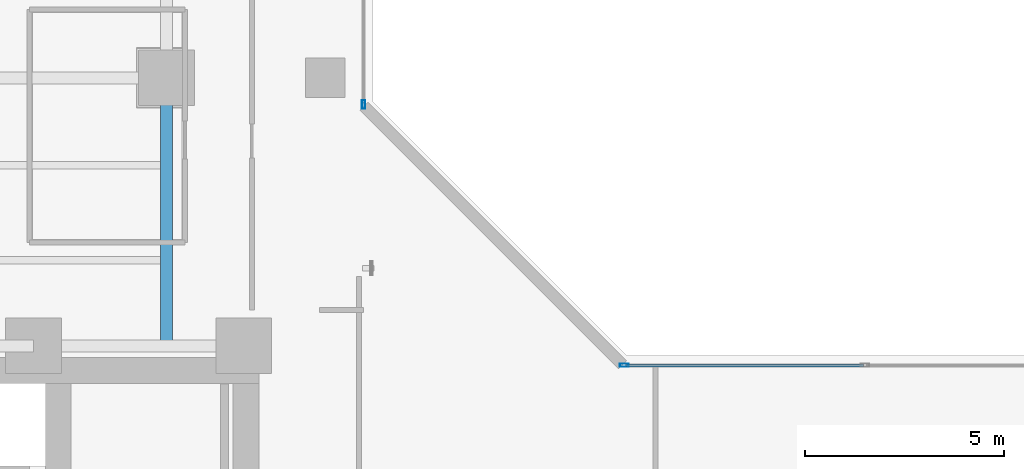
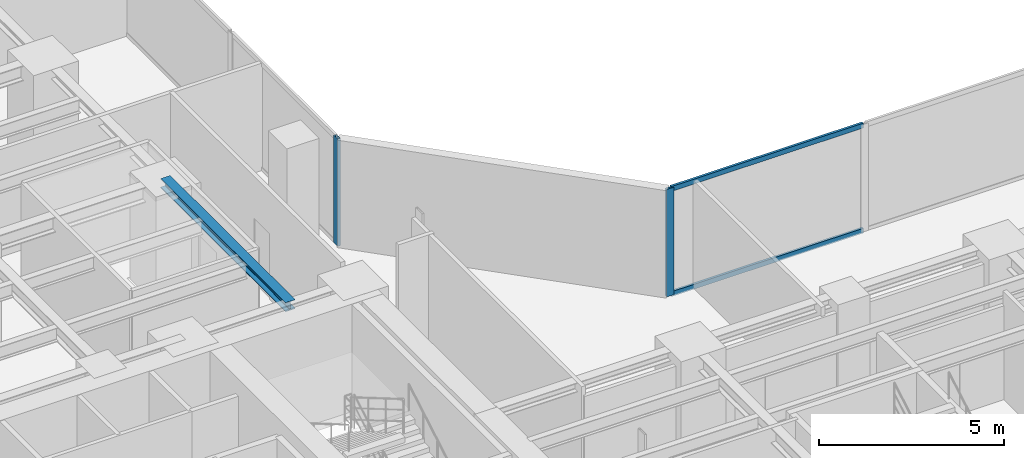
# One storey, part 9 of 28: 4 members, 1 beam, 2 elements without a shape of their own.
"""IFC4 building model written with IfcOpenShell, lengths in metres."""

import ifcopenshell
import ifcopenshell.guid

model = None  # the IFC model being written
_history = None  # IfcOwnerHistory: only IFC2X3 demands one
_inside = {}  # id of a spatial element -> (the spatial element, [elements in it])
_under = {}  # id of a project, library or spatial element -> (it, [spatial elements below it])
_declared = {}  # id of a project -> (the project, [libraries it declares])
_typed = {}  # id of a type object -> (the type object, [elements of that type])
_made_of = {}  # id of a material, layer set ... -> (it, [elements and type objects made of it])


def new_model(schema):
    """Start an empty IFC model of exactly this schema.

    Asked for "IFC4X3", IfcOpenShell would pick the latest addendum, in which some entities
    have other attributes; the version numbers below select the first issue.
    IFC2X3 requires an IfcOwnerHistory on every rooted entity: one is made here for all.
    """
    global model, _history
    if schema == "IFC4X3":
        model = ifcopenshell.file(schema_version=(4, 3, 0, 0))
    else:
        model = ifcopenshell.file(schema=schema)
    _inside.clear()
    _under.clear()
    _declared.clear()
    _typed.clear()
    _made_of.clear()
    _history = None
    if model.schema == "IFC2X3":
        org = make("IfcOrganization", Name="unknown")
        user = make(
            "IfcPersonAndOrganization",
            ThePerson=make("IfcPerson", FamilyName="unknown"),
            TheOrganization=org,
        )
        app = make(
            "IfcApplication",
            ApplicationDeveloper=org,
            Version="unknown",
            ApplicationFullName="unknown",
            ApplicationIdentifier="unknown",
        )
        _history = make(
            "IfcOwnerHistory",
            OwningUser=user,
            OwningApplication=app,
            ChangeAction="ADDED",
            CreationDate=0,
        )
    return model


def make(cls, **values):
    """One entity of the class cls with the attributes given. An attribute that is None is left unset."""
    return model.create_entity(
        cls, **{name: value for name, value in values.items() if value is not None}
    )


def rooted(cls, **values):
    """An entity with a GlobalId (a new one), such as an element, a storey or a relation."""
    return make(cls, GlobalId=ifcopenshell.guid.new(), OwnerHistory=_history, **values)


def si_unit(unit_type, name, prefix=None):
    """IfcSIUnit, for example si_unit("LENGTHUNIT", "METRE", prefix="MILLI")."""
    return make("IfcSIUnit", UnitType=unit_type, Prefix=prefix, Name=name)


def assignment(units):
    """IfcUnitAssignment: the units of a project."""
    return None if units is None else make("IfcUnitAssignment", Units=units)


def point(xyz):
    """IfcCartesianPoint."""
    return None if xyz is None else make("IfcCartesianPoint", Coordinates=xyz)


def direction(xyz):
    """IfcDirection."""
    return None if xyz is None else make("IfcDirection", DirectionRatios=xyz)


def frame(location, z_axis=None, x_axis=None):
    """IfcAxis2Placement3D, a coordinate frame: its origin and axes. An axis left out is left unset."""
    return make(
        "IfcAxis2Placement3D",
        Location=point(location),
        Axis=direction(z_axis),
        RefDirection=direction(x_axis),
    )


def frame_2d(location, x_axis=None):
    """IfcAxis2Placement2D, a coordinate frame in the plane: its origin and x axis."""
    return make(
        "IfcAxis2Placement2D", Location=point(location), RefDirection=direction(x_axis)
    )


def origin():
    """The frame at (0, 0, 0) with its axes left unset."""
    return frame((0.0, 0.0, 0.0))


def origin_with_axes():
    """The frame at (0, 0, 0) with the z axis (0, 0, 1) and the x axis (1, 0, 0) written out."""
    return frame((0.0, 0.0, 0.0), z_axis=(0.0, 0.0, 1.0), x_axis=(1.0, 0.0, 0.0))


def origin_2d():
    """The frame at (0, 0) in the plane with its x axis left unset."""
    return frame_2d((0.0, 0.0))


def place(relative_to, where):
    """IfcLocalPlacement: puts the frame where relative to a parent placement (None: the world)."""
    return make(
        "IfcLocalPlacement", PlacementRelTo=relative_to, RelativePlacement=where
    )


def context(
    kind, dimensions, precision=None, world=None, true_north=None, identifier=None
):
    """IfcGeometricRepresentationContext, for example the 3D "Model" context."""
    return make(
        "IfcGeometricRepresentationContext",
        ContextIdentifier=identifier,
        ContextType=kind,
        CoordinateSpaceDimension=dimensions,
        Precision=precision,
        WorldCoordinateSystem=world,
        TrueNorth=true_north,
    )


def subcontext(parent, identifier, kind, view, scale=None):
    """IfcGeometricRepresentationSubContext, for example "Body" below "Model"."""
    return make(
        "IfcGeometricRepresentationSubContext",
        ContextIdentifier=identifier,
        ContextType=kind,
        ParentContext=parent,
        TargetScale=scale,
        TargetView=view,
    )


def project(units=None, contexts=None):
    """IfcProject with its units and contexts."""
    return rooted(
        "IfcProject",
        Name="project",
        RepresentationContexts=contexts,
        UnitsInContext=assignment(units),
    )


def spatial(cls, under=None, at=None, **own):
    """A site, building, storey or space (cls), placed at a placement, below another one or the project."""
    s = rooted(cls, ObjectPlacement=at, **own)
    if under is not None:
        _under.setdefault(under.id(), (under, []))[1].append(s)
    return s


def profile(cls, at=None, kind="AREA", **sizes):
    """A parametric profile (cls). Its sizes go by their IFC names, for example OverallWidth=200.0."""
    return make(cls, ProfileType=kind, Position=at, **sizes)


def hollow_rectangle(**sizes):
    """IfcRectangleHollowProfileDef."""
    return profile("IfcRectangleHollowProfileDef", **sizes)


def i_section(**sizes):
    """IfcIShapeProfileDef."""
    return profile("IfcIShapeProfileDef", **sizes)


def extrude(swept, where, along, depth):
    """IfcExtrudedAreaSolid: the profile swept, set in the frame where, extruded along a direction by depth."""
    return make(
        "IfcExtrudedAreaSolid",
        SweptArea=swept,
        Position=where,
        ExtrudedDirection=direction(along),
        Depth=depth,
    )


def shape(context_of_items, identifier, shape_type, items):
    """IfcShapeRepresentation: the items that make up one representation, for example the "Body"."""
    return make(
        "IfcShapeRepresentation",
        ContextOfItems=context_of_items,
        RepresentationIdentifier=identifier,
        RepresentationType=shape_type,
        Items=items,
    )


def source(mapping_origin, context_of_items, identifier, shape_type, items):
    """IfcRepresentationMap: a shape defined once, which mapped items show again and again."""
    return make(
        "IfcRepresentationMap",
        MappingOrigin=mapping_origin,
        MappedRepresentation=shape(context_of_items, identifier, shape_type, items),
    )


def transform(
    local_origin,
    x_axis=None,
    y_axis=None,
    z_axis=None,
    scale=None,
    scale2=None,
    scale3=None,
    uniform=True,
):
    """IfcCartesianTransformationOperator3D, or its non-uniform kind. x_axis, y_axis, z_axis: its Axis1, 2, 3."""
    if uniform:
        return make(
            "IfcCartesianTransformationOperator3D",
            Axis1=direction(x_axis),
            Axis2=direction(y_axis),
            LocalOrigin=point(local_origin),
            Scale=scale,
            Axis3=direction(z_axis),
        )
    return make(
        "IfcCartesianTransformationOperator3DnonUniform",
        Axis1=direction(x_axis),
        Axis2=direction(y_axis),
        LocalOrigin=point(local_origin),
        Scale=scale,
        Axis3=direction(z_axis),
        Scale2=scale2,
        Scale3=scale3,
    )


def mapped(mapping_source, mapping_target):
    """IfcMappedItem: shows the shape of a source again, moved by a transform."""
    return make(
        "IfcMappedItem", MappingSource=mapping_source, MappingTarget=mapping_target
    )


def material(Name=None, Category=None):
    """IfcMaterial."""
    return make("IfcMaterial", Name=Name, Category=Category)


def layer(
    of_material, thickness, ventilated=None, Name=None, Category=None, Priority=None
):
    """IfcMaterialLayer: one layer of a wall or slab, of a material (None: an air gap)."""
    return make(
        "IfcMaterialLayer",
        Material=of_material,
        LayerThickness=thickness,
        IsVentilated=ventilated,
        Name=Name,
        Category=Category,
        Priority=Priority,
    )


def layer_set(layers, Name=None):
    """IfcMaterialLayerSet."""
    return make("IfcMaterialLayerSet", MaterialLayers=layers, LayerSetName=Name)


def material_profile(
    of_material, cross_section, Name=None, Category=None, Priority=None
):
    """IfcMaterialProfile: a cross section and its material."""
    return make(
        "IfcMaterialProfile",
        Name=Name,
        Material=of_material,
        Profile=cross_section,
        Priority=Priority,
        Category=Category,
    )


def profile_set(profiles, Name=None, composite=None):
    """IfcMaterialProfileSet."""
    return make(
        "IfcMaterialProfileSet",
        Name=Name,
        MaterialProfiles=profiles,
        CompositeProfile=composite,
    )


def made_of(thing, what):
    """Note that an element or type object is made of a material, layer set ...; save() writes the relation."""
    if what is not None:
        _made_of.setdefault(what.id(), (what, []))[1].append(thing)
    return thing


def type_object(cls, material=None, **own):
    """A type object (cls), such as IfcWallType, which elements share."""
    return made_of(rooted(cls, **own), material)


def element(
    cls,
    number,
    at=None,
    inside=None,
    cuts=None,
    type_object=None,
    material=None,
    context=None,
    identifier="Body",
    shape_type=None,
    held_by="IfcProductDefinitionShape",
    body=None,
    shapes=None,
    **own,
):
    """One element of the class cls, such as IfcWall. Its Tag is "e" and its number.

    at: its placement. inside: the storey or other place that contains it. cuts: it is an
    opening in that element (IfcRelVoidsElement). A single representation is given by context,
    identifier, shape_type and body (its items); several are given by shapes. held_by: the class
    of the entity that holds the representations. save() writes the other relations.
    """
    e = rooted(cls, Tag="e%d" % number, ObjectPlacement=at, **own)
    if body is not None:
        shapes = [shape(context, identifier, shape_type, body)]
    if shapes is not None:
        e.Representation = make(held_by, Representations=shapes)
    if inside is not None:
        _inside.setdefault(inside.id(), (inside, []))[1].append(e)
    if cuts is not None:
        rooted(
            "IfcRelVoidsElement", RelatingBuildingElement=cuts, RelatedOpeningElement=e
        )
    if type_object is not None:
        _typed.setdefault(type_object.id(), (type_object, []))[1].append(e)
    return made_of(e, material)


def aggregate(whole, parts):
    """IfcRelAggregates: a whole, such as a stair, and the parts it consists of."""
    return rooted("IfcRelAggregates", RelatingObject=whole, RelatedObjects=parts)


def save(model, path):
    """Write the relations noted so far, then the file.

    IfcRelAggregates (storeys below a building ...), IfcRelContainedInSpatialStructure (elements
    in a storey), IfcRelDefinesByType, IfcRelAssociatesMaterial and IfcRelDeclares: one each for
    every whole, place, type object, material and project.
    """
    for whole, parts in _under.values():
        aggregate(whole, parts)
    for where, things in _inside.values():
        rooted(
            "IfcRelContainedInSpatialStructure",
            RelatedElements=things,
            RelatingStructure=where,
        )
    for kind, things in _typed.values():
        rooted("IfcRelDefinesByType", RelatedObjects=things, RelatingType=kind)
    for what, things in _made_of.values():
        rooted("IfcRelAssociatesMaterial", RelatedObjects=things, RelatingMaterial=what)
    for by, libraries in _declared.values():
        rooted("IfcRelDeclares", RelatingContext=by, RelatedDefinitions=libraries)
    model.write(path)


model = new_model("IFC4")

# Units and contexts
model_context = context("Model", 3, precision=1e-05, world=origin(), true_north=direction((0.0, 1.0)))
body_context = subcontext(model_context, "Body", "Model", "MODEL_VIEW")
ifc_project = project(units=[si_unit("LENGTHUNIT", "METRE"), si_unit("AREAUNIT", "SQUARE_METRE"), si_unit("VOLUMEUNIT", "CUBIC_METRE"), si_unit("PLANEANGLEUNIT", "RADIAN"), si_unit("MASSUNIT", "GRAM", prefix="KILO")], contexts=[model_context])

# Site, building, storey
site_placement = place(None, origin())
site = spatial("IfcSite", under=ifc_project, at=site_placement, CompositionType="ELEMENT")
building_placement = place(site_placement, origin())
building = spatial("IfcBuilding", under=site, at=building_placement, Name="Kolvaren Waterfront Exchange", CompositionType="ELEMENT")
storey_placement = place(building_placement, frame((0.0, 0.0, 133.5)))
storey = spatial("IfcBuildingStorey", under=building, at=storey_placement, Name="L34", CompositionType="ELEMENT", Elevation=133.5)

# Beam
ifc_material_1 = material(Name="Steel S355", Category="steel")
ifc_material_profile_1 = material_profile(ifc_material_1, i_section(OverallWidth=0.300048828125, OverallDepth=0.300048828125, WebThickness=0.010986328125, FlangeThickness=0.01904296875, FilletRadius=0.027099609375, at=origin_2d()), Name="HEB300")
ifc_profile_set_1 = profile_set([ifc_material_profile_1], Name="Steel S355")
beam_type = type_object("IfcBeamType", Name="STR-BM-HEB300", PredefinedType="SPANDREL", material=ifc_profile_set_1)
beam_placement = place(storey_placement, frame((18.800048828125, 24.449951171875, 3.389892578125), z_axis=(0.0, 1.0, 0.0), x_axis=(-1.0, 0.0, 0.0)))
element("IfcBeam", 1, at=beam_placement, inside=storey, type_object=beam_type, Name="L34 north-arm edge beam 1", PredefinedType="SPANDREL", context=body_context, shape_type="SweptSolid", body=[
    extrude(i_section(OverallWidth=0.300048828125, OverallDepth=0.300048828125, WebThickness=0.010986328125, FlangeThickness=0.01904296875, FilletRadius=0.027099609375, at=origin_2d()), origin(), (0.0, 0.0, 1.0), 6.75),
])

# Curtain wall, member
ifc_material_2 = material(Name="Anodised bronze aluminium 6063-T6", Category="aluminium")
ifc_layer = layer(ifc_material_2, 0.219970703125, Name="Anodised bronze aluminium 6063-T6")
ifc_layer_set = layer_set([ifc_layer], Name="Anodised bronze aluminium 6063-T6")
curtain_wall_type = type_object("IfcCurtainWallType", Name="ARC-CW-SYS1", PredefinedType="USERDEFINED", material=ifc_layer_set)
curtain_wall_1_placement = place(storey_placement, origin())
curtain_wall_1 = element("IfcCurtainWall", 2, at=curtain_wall_1_placement, inside=storey, type_object=curtain_wall_type, Name="L34 stick curtain wall CW1 (CW-L34-NE)", ObjectType="STICK CURTAIN WALL", PredefinedType="USERDEFINED")
ifc_material_3 = material(Name="Anodised aluminium 6063-T6", Category="aluminium")
ifc_material_profile_2 = material_profile(ifc_material_3, hollow_rectangle(XDim=0.080078125, YDim=0.219970703125, WallThickness=0.0048828125, at=origin_2d()), Name="ALU-MUL-220x80x5")
ifc_profile_set_2 = profile_set([ifc_material_profile_2], Name="Anodised aluminium 6063-T6")
member_type_1 = type_object("IfcMemberType", Name="ARC-CWM-220", PredefinedType="MULLION", material=ifc_profile_set_2)
shared_shape_1 = source(origin_with_axes(), body_context, "Body", "SweptSolid", [
    extrude(hollow_rectangle(XDim=0.080078125, YDim=0.219970703125, WallThickness=0.0048828125, at=origin_2d()), origin(), (0.0, 0.0, 1.0), 3.5400390625),
])
member_1_placement = place(storey_placement, frame((23.760009765625, 30.530029296875, 0.0), z_axis=(0.0, 0.0, 1.0), x_axis=(-1.0, 0.0, 0.0)))
member_1 = element("IfcMember", 3, at=member_1_placement, type_object=member_type_1, Name="CW1 mullion 1", PredefinedType="MULLION", context=body_context, shape_type="MappedRepresentation", body=[
    mapped(shared_shape_1, transform((0.0, 0.0, 0.0), x_axis=(1.0, 0.0, 0.0), y_axis=(0.0, 1.0, 0.0), z_axis=(0.0, 0.0, 1.0), scale=1.0)),
])
aggregate(curtain_wall_1, [member_1])

# Curtain wall, members
curtain_wall_2_placement = place(storey_placement, origin())
curtain_wall_2 = element("IfcCurtainWall", 4, at=curtain_wall_2_placement, inside=storey, type_object=curtain_wall_type, Name="L34 stick curtain wall CW1 (CW-L34-EN)", ObjectType="STICK CURTAIN WALL", PredefinedType="USERDEFINED")
member_2_placement = place(storey_placement, frame((30.330078125, 23.9599609375, 0.0), z_axis=(0.0, 0.0, 1.0), x_axis=(0.0, 1.0, 0.0)))
member_2 = element("IfcMember", 5, at=member_2_placement, type_object=member_type_1, Name="CW1 mullion 1", PredefinedType="MULLION", context=body_context, shape_type="MappedRepresentation", body=[
    mapped(shared_shape_1, transform((0.0, 0.0, 0.0), x_axis=(1.0, 0.0, 0.0), y_axis=(0.0, 1.0, 0.0), z_axis=(0.0, 0.0, 1.0), scale=1.0)),
])
ifc_material_profile_3 = material_profile(ifc_material_3, hollow_rectangle(XDim=0.074951171875, YDim=0.159912109375, WallThickness=0.00439453125, at=origin_2d()), Name="ALU-TRN-160x75x4.5")
ifc_profile_set_3 = profile_set([ifc_material_profile_3], Name="Anodised aluminium 6063-T6")
member_type_2 = type_object("IfcMemberType", Name="ARC-CWT-160", PredefinedType="USERDEFINED", material=ifc_profile_set_3)
shared_shape_2 = source(origin_with_axes(), body_context, "Body", "SweptSolid", [
    extrude(hollow_rectangle(XDim=0.074951171875, YDim=0.159912109375, WallThickness=0.00439453125, at=origin_2d()), origin(), (0.0, 0.0, 1.0), 5.982421875),
])
member_3_placement = place(storey_placement, frame((30.3701171875, 23.9599609375, 0.03759765625), z_axis=(1.0, 0.0, 0.0), x_axis=(0.0, 1.0, 0.0)))
member_3 = element("IfcMember", 6, at=member_3_placement, type_object=member_type_2, Name="CW1 transom 1.1", ObjectType="TRANSOM", PredefinedType="USERDEFINED", context=body_context, shape_type="MappedRepresentation", body=[
    mapped(shared_shape_2, transform((0.0, 0.0, 0.0), x_axis=(1.0, 0.0, 0.0), y_axis=(0.0, 1.0, 0.0), z_axis=(0.0, 0.0, 1.0), scale=1.0)),
])
member_4_placement = place(storey_placement, frame((30.3701171875, 23.9599609375, 3.50244140625), z_axis=(1.0, 0.0, 0.0), x_axis=(0.0, 1.0, 0.0)))
member_4 = element("IfcMember", 7, at=member_4_placement, type_object=member_type_2, Name="CW1 transom 1.2", ObjectType="TRANSOM", PredefinedType="USERDEFINED", context=body_context, shape_type="MappedRepresentation", body=[
    mapped(shared_shape_2, transform((0.0, 0.0, 0.0), x_axis=(1.0, 0.0, 0.0), y_axis=(0.0, 1.0, 0.0), z_axis=(0.0, 0.0, 1.0), scale=1.0)),
])
aggregate(curtain_wall_2, [member_2, member_3, member_4])

save(model, "model.ifc")
